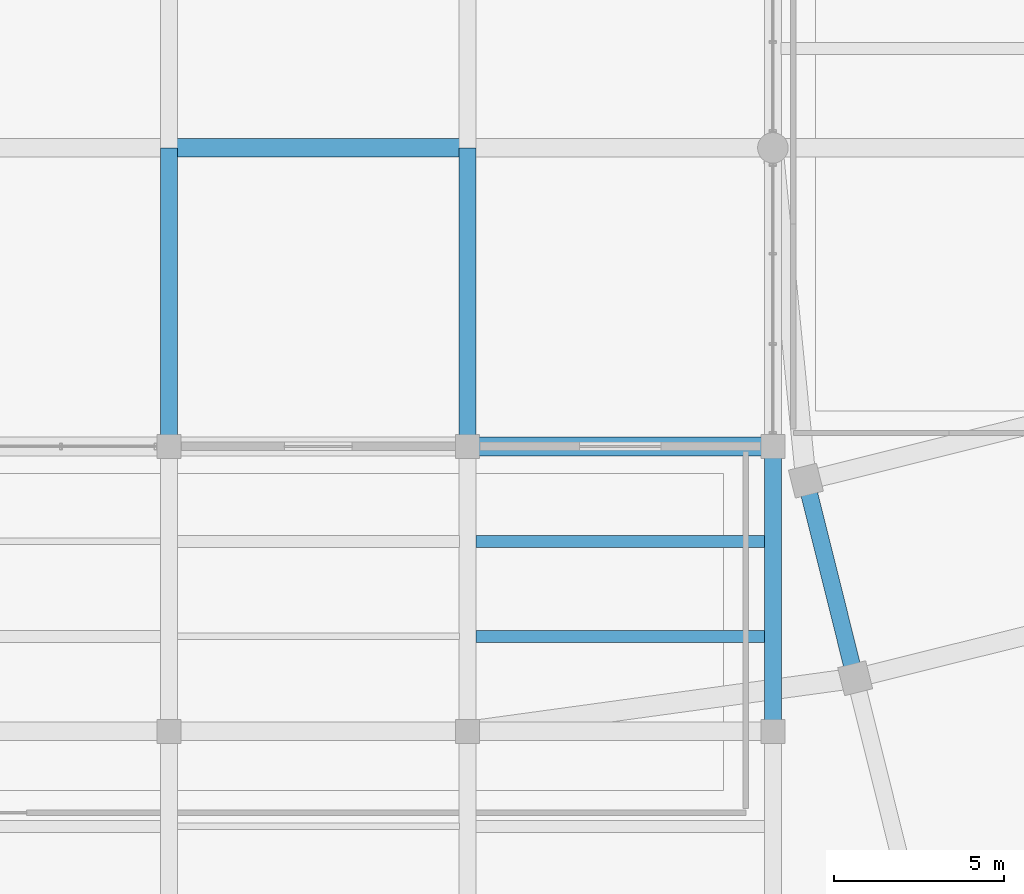
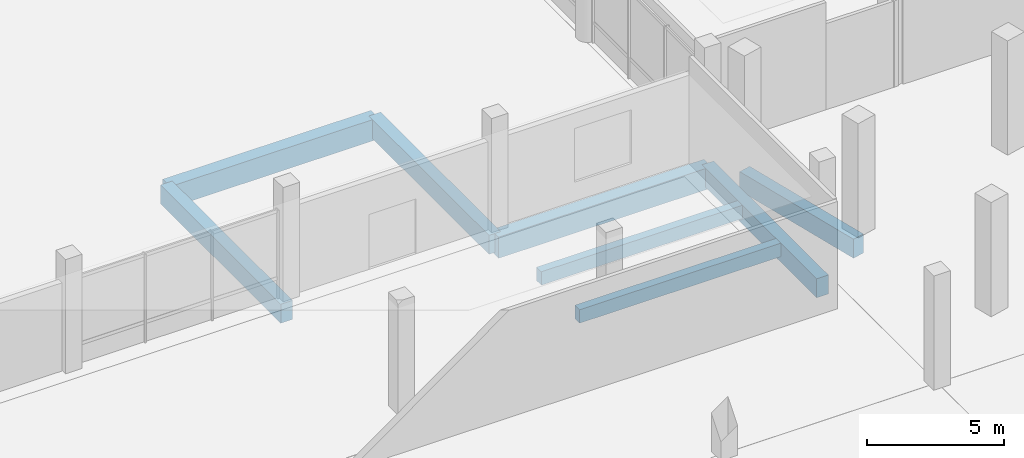
# One storey, part 26 of 73: 8 beams.
"""IFC4 building model written with IfcOpenShell, lengths in metres."""

from ifc_helpers import new_model, si_unit, direction, frame, origin, origin_2d, place, context, subcontext, project, spatial, rectangle, extrude, material, material_profile, profile_set, type_object, element, save


model = new_model("IFC4")

# Units and contexts
model_context = context("Model", 3, precision=1e-05, world=origin(), true_north=direction((0.0, 1.0)))
body_context = subcontext(model_context, "Body", "Model", "MODEL_VIEW")
ifc_project = project(units=[si_unit("LENGTHUNIT", "METRE"), si_unit("AREAUNIT", "SQUARE_METRE"), si_unit("VOLUMEUNIT", "CUBIC_METRE"), si_unit("PLANEANGLEUNIT", "RADIAN"), si_unit("MASSUNIT", "GRAM", prefix="KILO")], contexts=[model_context])

# Site, building, storey
site_placement = place(None, origin())
site = spatial("IfcSite", under=ifc_project, at=site_placement, CompositionType="ELEMENT")
building_placement = place(site_placement, origin())
building = spatial("IfcBuilding", under=site, at=building_placement, Name="Meriwether Solvik Hall", CompositionType="ELEMENT")
storey_placement = place(building_placement, origin())
storey = spatial("IfcBuildingStorey", under=building, at=storey_placement, Name="L00", CompositionType="ELEMENT", Elevation=0.0)

# Beams
ifc_material_1 = material(Name="Concrete C40/50", Category="concrete")
ifc_material_profile_1 = material_profile(ifc_material_1, rectangle(XDim=0.35009765625, YDim=0.60009765625, at=origin_2d()), Name="RCB-350X600")
ifc_profile_set_1 = profile_set([ifc_material_profile_1], Name="Concrete C40/50")
beam_type_1 = type_object("IfcBeamType", Name="BM-RC-350X600", PredefinedType="JOIST", material=ifc_profile_set_1)
for number, where, z_axis, x_axis, name in (
    (1, (50.64501953125, 69.60009765625, -0.659912109375), (1.0, 0.0, 0.0), (0.0, 1.0, 0.0), "Secondary Floor Joist 6/H_J1 (L00)"),
    (2, (50.64501953125, 72.39990234375, -0.659912109375), (1.0, 0.0, 0.0), (0.0, 1.0, 0.0), "Secondary Floor Joist 6/H_J2 (L00)"),
):
    element("IfcBeam", number, at=place(storey_placement, frame(where, z_axis=z_axis, x_axis=x_axis)), inside=storey, type_object=beam_type_1, Name=name, PredefinedType="JOIST", context=body_context, shape_type="SweptSolid", body=[
        extrude(rectangle(XDim=0.35009765625, YDim=0.60009765625, at=origin_2d()), origin(), (0.0, 0.0, 1.0), 8.510009765625),
    ])
ifc_material_2 = material(Name="Concrete C40/50", Category="concrete")
ifc_material_profile_2 = material_profile(ifc_material_2, rectangle(XDim=0.5, YDim=0.85009765625, at=origin_2d()), Name="RCB-500X850")
ifc_profile_set_2 = profile_set([ifc_material_profile_2], Name="Concrete C40/50")
beam_type_2 = type_object("IfcBeamType", Name="BM-RC-500X850", PredefinedType="BEAM", material=ifc_profile_set_2)
for number, where, z_axis, x_axis, name in (
    (3, (41.60009765625, 75.199951171875, -0.784912109375), (0.0, 1.0, 0.0), (-1.0, 0.0, 0.0), "Podium Girder 5:I-J (L00)"),
    (4, (50.39990234375, 75.199951171875, -0.784912109375), (0.0, 1.0, 0.0), (-1.0, 0.0, 0.0), "Podium Girder 6:I-J (L00)"),
):
    element("IfcBeam", number, at=place(storey_placement, frame(where, z_axis=z_axis, x_axis=x_axis)), inside=storey, type_object=beam_type_2, Name=name, PredefinedType="BEAM", context=body_context, shape_type="SweptSolid", body=[
        extrude(rectangle(XDim=0.5, YDim=0.85009765625, at=origin_2d()), origin(), (0.0, 0.0, 1.0), 8.800048828125),
    ])
beam_1_placement = place(storey_placement, frame((59.39990234375, 66.800048828125, -0.784912109375), z_axis=(0.0, 1.0, 0.0), x_axis=(-1.0, 0.0, 0.0)))
element("IfcBeam", 5, at=beam_1_placement, inside=storey, type_object=beam_type_2, Name="Podium Girder 7:H-I (L00)", PredefinedType="BEAM", context=body_context, shape_type="SweptSolid", body=[
    extrude(rectangle(XDim=0.5, YDim=0.85009765625, at=origin_2d()), origin(), (0.0, 0.0, 1.0), 8.39990234375),
])
beam_2_placement = place(storey_placement, frame((61.826171875, 68.3681640625, -0.784912109375), z_axis=(-0.241903677572, 0.970300268359, 0.0), x_axis=(-0.970300268359, -0.241903677572, 0.0)))
element("IfcBeam", 6, at=beam_2_placement, inside=storey, type_object=beam_type_2, Name="Tower Girder T1:TE-TF (L00)", PredefinedType="BEAM", context=body_context, shape_type="SweptSolid", body=[
    extrude(rectangle(XDim=0.5, YDim=0.85009765625, at=origin_2d()), origin(), (0.0, 0.0, 1.0), 6.0),
])
ifc_material_3 = material(Name="Concrete C40/50", Category="concrete")
ifc_material_profile_3 = material_profile(ifc_material_3, rectangle(XDim=0.550048828125, YDim=0.949951171875, at=origin_2d()), Name="RCB-550X950")
ifc_profile_set_3 = profile_set([ifc_material_profile_3], Name="Concrete C40/50")
beam_type_3 = type_object("IfcBeamType", Name="BM-RC-550X950", PredefinedType="BEAM", material=ifc_profile_set_3)
beam_3_placement = place(storey_placement, frame((50.39990234375, 75.199951171875, -0.8349609375), z_axis=(1.0, 0.0, 0.0), x_axis=(0.0, 1.0, 0.0)))
element("IfcBeam", 7, at=beam_3_placement, inside=storey, type_object=beam_type_3, Name="Podium Girder I:6-7 (L00)", PredefinedType="BEAM", context=body_context, shape_type="SweptSolid", body=[
    extrude(rectangle(XDim=0.550048828125, YDim=0.949951171875, at=origin_2d()), origin(), (0.0, 0.0, 1.0), 9.0),
])
beam_4_placement = place(storey_placement, frame((41.60009765625, 84.0, -0.8349609375), z_axis=(1.0, 0.0, 0.0), x_axis=(0.0, 1.0, 0.0)))
element("IfcBeam", 8, at=beam_4_placement, inside=storey, type_object=beam_type_3, Name="Podium Girder J:5-6 (L00)", PredefinedType="BEAM", context=body_context, shape_type="SweptSolid", body=[
    extrude(rectangle(XDim=0.550048828125, YDim=0.949951171875, at=origin_2d()), origin(), (0.0, 0.0, 1.0), 8.7998046875),
])

save(model, "model.ifc")
